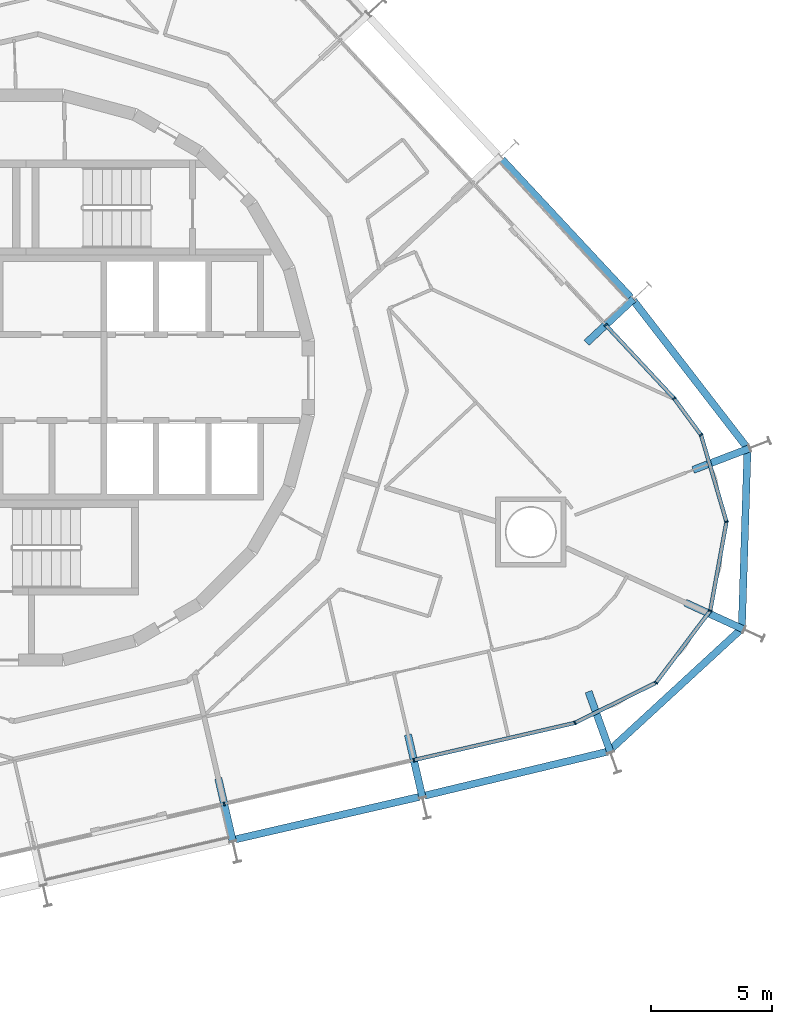
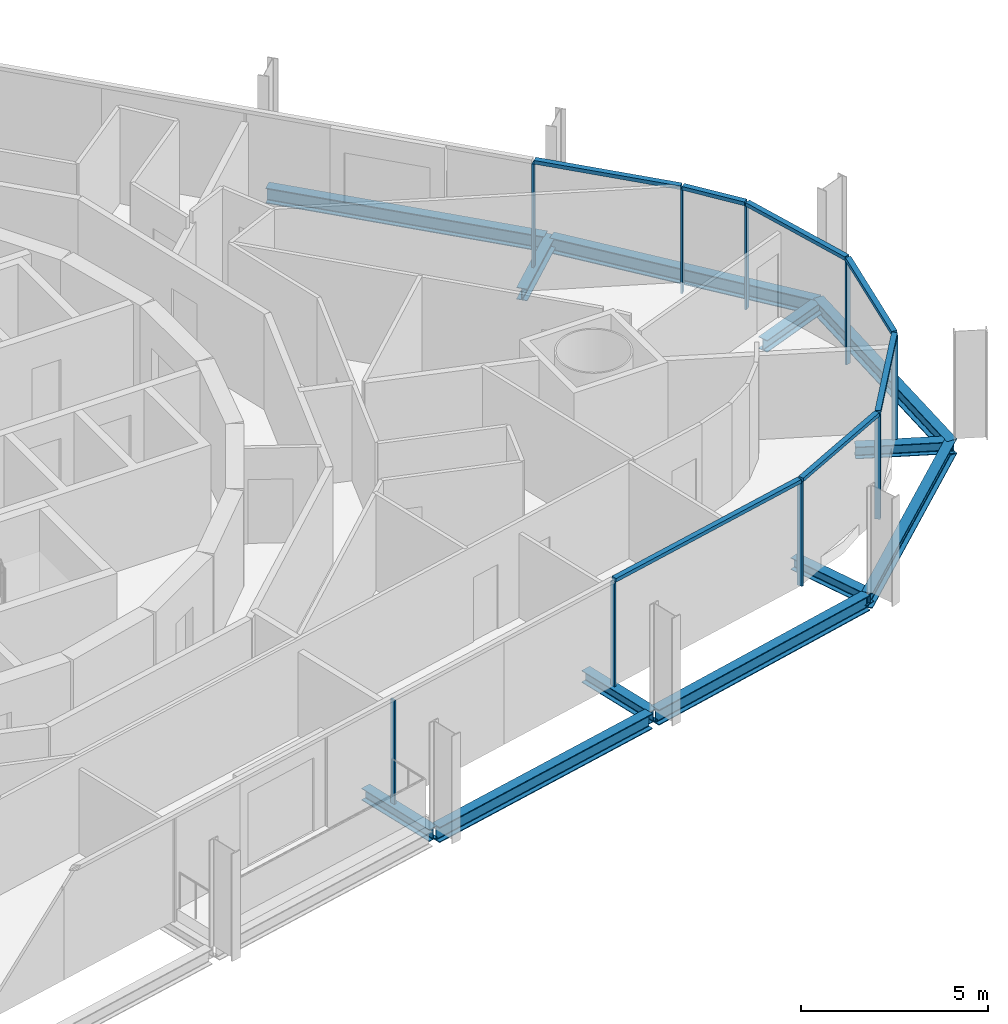
# One storey, part 6 of 18: 16 members, 12 beams, 3 elements without a shape of their own.
"""IFC4 building model written with IfcOpenShell, lengths in metres."""

from ifc_helpers import new_model, si_unit, direction, frame, origin, origin_2d, place, context, subcontext, project, spatial, rectangle, i_section, extrude, material, layer, layer_set, material_profile, profile_set, type_object, element, aggregate, save


model = new_model("IFC4")

# Units and contexts
model_context = context("Model", 3, precision=1e-05, world=origin(), true_north=direction((0.0, 1.0)))
body_context = subcontext(model_context, "Body", "Model", "MODEL_VIEW")
ifc_project = project(units=[si_unit("LENGTHUNIT", "METRE"), si_unit("AREAUNIT", "SQUARE_METRE"), si_unit("VOLUMEUNIT", "CUBIC_METRE"), si_unit("PLANEANGLEUNIT", "RADIAN"), si_unit("MASSUNIT", "GRAM", prefix="KILO")], contexts=[model_context])

# Site, building, storey
site_placement = place(None, origin())
site = spatial("IfcSite", under=ifc_project, at=site_placement, CompositionType="ELEMENT")
building_placement = place(site_placement, origin())
building = spatial("IfcBuilding", under=site, at=building_placement, Name="Spindle Arch Residences", CompositionType="ELEMENT")
storey_placement = place(building_placement, frame((0.0, 0.0, 130.89990234375)))
storey = spatial("IfcBuildingStorey", under=building, at=storey_placement, Name="L32", CompositionType="ELEMENT", Elevation=130.89990234375)

# Curtain wall, members
ifc_material_1 = material(Name="Aluminium bronze unitised frame with tinted glass", Category="aluminium")
ifc_layer_1 = layer(ifc_material_1, 0.159912109375)
ifc_layer_set_1 = layer_set([ifc_layer_1], Name="CW-D corner wall on the fillet arcs")
curtain_wall_type_1 = type_object("IfcCurtainWallType", Name="CW-D corner wall on the fillet arcs", PredefinedType="NOTDEFINED", material=ifc_layer_set_1)
curtain_wall_1_placement = place(storey_placement, origin())
curtain_wall_1 = element("IfcCurtainWall", 1, at=curtain_wall_1_placement, inside=storey, type_object=curtain_wall_type_1, Name="CW-D L32 run 1", PredefinedType="NOTDEFINED")
ifc_material_2 = material(Name="Aluminium bronze anodised mullion", Category="aluminium")
ifc_material_profile_1 = material_profile(ifc_material_2, rectangle(XDim=0.159912109375, YDim=0.06005859375, at=origin_2d()), Name="MU 60x160")
ifc_profile_set_1 = profile_set([ifc_material_profile_1], Name="Aluminium bronze anodised mullion")
member_type_1 = type_object("IfcMemberType", Name="Bronze mullion 60x160", PredefinedType="MULLION", material=ifc_profile_set_1)
member_1_placement = place(storey_placement, frame((16.002685546875, -15.775390625, -0.3798828125), z_axis=(0.0, 0.0, 1.0), x_axis=(-0.224951054344, 0.974370064785, 0.0)))
member_1 = element("IfcMember", 2, at=member_1_placement, type_object=member_type_1, Name="CW-D mullion 00", PredefinedType="MULLION", context=body_context, shape_type="SweptSolid", body=[
    extrude(rectangle(XDim=0.159912109375, YDim=0.06005859375, at=origin_2d()), origin(), (0.0, 0.0, 1.0), 3.3798828125),
])
member_2_placement = place(storey_placement, frame((22.647705078125, -14.2412109375, -0.3798828125), z_axis=(0.0, 0.0, 1.0), x_axis=(-0.443592675931, 0.896228507614, 0.0)))
member_2 = element("IfcMember", 3, at=member_2_placement, type_object=member_type_1, Name="CW-D mullion 01", PredefinedType="MULLION", context=body_context, shape_type="SweptSolid", body=[
    extrude(rectangle(XDim=0.159912109375, YDim=0.06005859375, at=origin_2d()), origin(), (0.0, 0.0, 1.0), 3.3798828125),
])
member_3_placement = place(storey_placement, frame((25.987548828125, -12.588134765625, -0.3798828125), z_axis=(0.0, 0.0, 1.0), x_axis=(-0.798635511056, 0.601815021814, 0.0)))
member_3 = element("IfcMember", 4, at=member_3_placement, type_object=member_type_1, Name="CW-D mullion 02", PredefinedType="MULLION", context=body_context, shape_type="SweptSolid", body=[
    extrude(rectangle(XDim=0.159912109375, YDim=0.06005859375, at=origin_2d()), origin(), (0.0, 0.0, 1.0), 3.3798828125),
])
member_4_placement = place(storey_placement, frame((28.23046875, -9.61181640625, -0.3798828125), z_axis=(0.0, 0.0, 1.0), x_axis=(-0.983780848179, 0.17937458782, 0.0)))
member_4 = element("IfcMember", 5, at=member_4_placement, type_object=member_type_1, Name="CW-D mullion 03", PredefinedType="MULLION", context=body_context, shape_type="SweptSolid", body=[
    extrude(rectangle(XDim=0.159912109375, YDim=0.06005859375, at=origin_2d()), origin(), (0.0, 0.0, 1.0), 3.3798828125),
])
member_5_placement = place(storey_placement, frame((28.89892578125, -5.945556640625, -0.3798828125), z_axis=(0.0, 0.0, 1.0), x_axis=(-0.959641844554, -0.281225052549, 0.0)))
member_5 = element("IfcMember", 6, at=member_5_placement, type_object=member_type_1, Name="CW-D mullion 04", PredefinedType="MULLION", context=body_context, shape_type="SweptSolid", body=[
    extrude(rectangle(XDim=0.159912109375, YDim=0.06005859375, at=origin_2d()), origin(), (0.0, 0.0, 1.0), 3.3798828125),
])
member_6_placement = place(storey_placement, frame((27.850830078125, -2.369140625, -0.3798828125), z_axis=(0.0, 0.0, 1.0), x_axis=(-0.805583724819, -0.592481951039, 0.0)))
member_6 = element("IfcMember", 7, at=member_6_placement, type_object=member_type_1, Name="CW-D mullion 05", PredefinedType="MULLION", context=body_context, shape_type="SweptSolid", body=[
    extrude(rectangle(XDim=0.159912109375, YDim=0.06005859375, at=origin_2d()), origin(), (0.0, 0.0, 1.0), 3.3798828125),
])
member_7_placement = place(storey_placement, frame((26.7392578125, -0.85791015625, -0.3798828125), z_axis=(0.0, 0.0, 1.0), x_axis=(-0.731353701619, -0.681998360062, 0.0)))
member_7 = element("IfcMember", 8, at=member_7_placement, type_object=member_type_1, Name="CW-D mullion 06", PredefinedType="MULLION", context=body_context, shape_type="SweptSolid", body=[
    extrude(rectangle(XDim=0.159912109375, YDim=0.06005859375, at=origin_2d()), origin(), (0.0, 0.0, 1.0), 3.3798828125),
])

# Curtain wall, member
ifc_material_3 = material(Name="Aluminium bronze unitised frame with tinted glass", Category="aluminium")
ifc_layer_2 = layer(ifc_material_3, 0.159912109375)
ifc_layer_set_2 = layer_set([ifc_layer_2], Name="CW-C typical residential unitised wall")
curtain_wall_type_2 = type_object("IfcCurtainWallType", Name="CW-C typical residential unitised wall", PredefinedType="NOTDEFINED", material=ifc_layer_set_2)
curtain_wall_2_placement = place(storey_placement, origin())
curtain_wall_2 = element("IfcCurtainWall", 9, at=curtain_wall_2_placement, inside=storey, type_object=curtain_wall_type_2, Name="CW-C L32 run 2", PredefinedType="NOTDEFINED")
member_8_placement = place(storey_placement, frame((23.91357421875, 2.172607421875, -0.3798828125), z_axis=(0.0, 0.0, 1.0), x_axis=(-0.731353701619, -0.681998360062, 0.0)))
member_8 = element("IfcMember", 10, at=member_8_placement, type_object=member_type_1, Name="CW-C mullion 05", PredefinedType="MULLION", context=body_context, shape_type="SweptSolid", body=[
    extrude(rectangle(XDim=0.159912109375, YDim=0.06005859375, at=origin_2d()), origin(), (0.0, 0.0, 1.0), 3.3798828125),
])
aggregate(curtain_wall_2, [member_8])

curtain_wall_3_placement = place(storey_placement, origin())
curtain_wall_3 = element("IfcCurtainWall", 11, at=curtain_wall_3_placement, inside=storey, type_object=curtain_wall_type_2, Name="CW-C L32 run 6", PredefinedType="NOTDEFINED")
member_9_placement = place(storey_placement, frame((8.17919921875, -17.58154296875, -0.3798828125), z_axis=(0.0, 0.0, 1.0), x_axis=(-0.224951054344, 0.974370064785, 0.0)))
member_9 = element("IfcMember", 12, at=member_9_placement, type_object=member_type_1, Name="CW-C mullion 00", PredefinedType="MULLION", context=body_context, shape_type="SweptSolid", body=[
    extrude(rectangle(XDim=0.159912109375, YDim=0.06005859375, at=origin_2d()), origin(), (0.0, 0.0, 1.0), 3.3798828125),
])
aggregate(curtain_wall_3, [member_9])

# Member
ifc_material_4 = material(Name="Aluminium bronze anodised transom", Category="aluminium")
ifc_material_profile_2 = material_profile(ifc_material_4, rectangle(XDim=0.159912109375, YDim=0.1201171875, at=origin_2d()), Name="TR 120x160")
ifc_profile_set_2 = profile_set([ifc_material_profile_2], Name="Aluminium bronze anodised transom")
member_type_2 = type_object("IfcMemberType", Name="Bronze transom 120x160", PredefinedType="USERDEFINED", material=ifc_profile_set_2)
member_10_placement = place(storey_placement, frame((16.03173828125, -15.7685546875, 3.06005859375), z_axis=(0.974374758263, 0.224930723691, 0.0), x_axis=(-0.224930723691, 0.974374758263, 0.0)))
member_10 = element("IfcMember", 13, at=member_10_placement, type_object=member_type_2, Name="CW-D transom 00", ObjectType="TRANSOM", PredefinedType="USERDEFINED", context=body_context, shape_type="SweptSolid", body=[
    extrude(rectangle(XDim=0.159912109375, YDim=0.1201171875, at=origin_2d()), origin(), (0.0, 0.0, 1.0), 6.760009765625),
])

member_11_placement = place(storey_placement, frame((22.674560546875, -14.22802734375, 3.06005859375), z_axis=(0.896204490037, 0.443641197408, 0.0), x_axis=(-0.443641197408, 0.896204490037, 0.0)))
member_11 = element("IfcMember", 14, at=member_11_placement, type_object=member_type_2, Name="CW-D transom 01", ObjectType="TRANSOM", PredefinedType="USERDEFINED", context=body_context, shape_type="SweptSolid", body=[
    extrude(rectangle(XDim=0.159912109375, YDim=0.1201171875, at=origin_2d()), origin(), (0.0, 0.0, 1.0), 3.666748046875),
])

member_12_placement = place(storey_placement, frame((26.005615234375, -12.564208984375, 3.06005859375), z_axis=(0.601820083797, 0.798631696553, 0.0), x_axis=(-0.798631696553, 0.601820083797, 0.0)))
member_12 = element("IfcMember", 15, at=member_12_placement, type_object=member_type_2, Name="CW-D transom 02", ObjectType="TRANSOM", PredefinedType="USERDEFINED", context=body_context, shape_type="SweptSolid", body=[
    extrude(rectangle(XDim=0.159912109375, YDim=0.1201171875, at=origin_2d()), origin(), (0.0, 0.0, 1.0), 3.666748046875),
])

member_13_placement = place(storey_placement, frame((28.23583984375, -9.582275390625, 3.06005859375), z_axis=(0.179377605594, 0.983780297938, 0.0), x_axis=(-0.983780297938, 0.179377605594, 0.0)))
member_13 = element("IfcMember", 16, at=member_13_placement, type_object=member_type_2, Name="CW-D transom 03", ObjectType="TRANSOM", PredefinedType="USERDEFINED", context=body_context, shape_type="SweptSolid", body=[
    extrude(rectangle(XDim=0.159912109375, YDim=0.1201171875, at=origin_2d()), origin(), (0.0, 0.0, 1.0), 3.666748046875),
])

member_14_placement = place(storey_placement, frame((28.890625, -5.916748046875, 3.06005859375), z_axis=(-0.281239778168, 0.959637529058, 0.0), x_axis=(-0.959637529058, -0.281239778168, 0.0)))
member_14 = element("IfcMember", 17, at=member_14_placement, type_object=member_type_2, Name="CW-D transom 04", ObjectType="TRANSOM", PredefinedType="USERDEFINED", context=body_context, shape_type="SweptSolid", body=[
    extrude(rectangle(XDim=0.159912109375, YDim=0.1201171875, at=origin_2d()), origin(), (0.0, 0.0, 1.0), 3.666748046875),
])

member_15_placement = place(storey_placement, frame((27.833251953125, -2.344970703125, 3.06005859375), z_axis=(-0.592575212526, 0.805515125557, 0.0), x_axis=(-0.805515125557, -0.592575212526, 0.0)))
member_15 = element("IfcMember", 18, at=member_15_placement, type_object=member_type_2, Name="CW-D transom 05", ObjectType="TRANSOM", PredefinedType="USERDEFINED", context=body_context, shape_type="SweptSolid", body=[
    extrude(rectangle(XDim=0.159912109375, YDim=0.1201171875, at=origin_2d()), origin(), (0.0, 0.0, 1.0), 1.816162109375),
])

member_16_placement = place(storey_placement, frame((26.718994140625, -0.8359375, 3.06005859375), z_axis=(-0.681983744213, 0.731367330846, 0.0), x_axis=(-0.731367330846, -0.681983744213, 0.0)))
member_16 = element("IfcMember", 19, at=member_16_placement, type_object=member_type_2, Name="CW-D transom 06", ObjectType="TRANSOM", PredefinedType="USERDEFINED", context=body_context, shape_type="SweptSolid", body=[
    extrude(rectangle(XDim=0.159912109375, YDim=0.1201171875, at=origin_2d()), origin(), (0.0, 0.0, 1.0), 4.08349609375),
])

aggregate(curtain_wall_1, [member_1, member_10, member_2, member_11, member_3, member_12, member_4, member_13, member_5, member_14, member_6, member_15, member_7, member_16])

# Beams
ifc_material_5 = material(Name="Steel S460ML, intumescent coating R 120", Category="steel")
ifc_material_profile_3 = material_profile(ifc_material_5, i_section(OverallWidth=0.300048828125, OverallDepth=0.5, WebThickness=0.014404296875, FlangeThickness=0.028076171875, FilletRadius=0.027099609375, at=origin_2d()), Name="HEB 500")
ifc_profile_set_3 = profile_set([ifc_material_profile_3], Name="Steel S460ML, intumescent coating R 120")
beam_type_1 = type_object("IfcBeamType", Name="Exoskeleton edge beam HEB 500", PredefinedType="BEAM", material=ifc_profile_set_3)
beam_1_placement = place(storey_placement, frame((8.64990234375, -19.043212890625, -0.6298828125), z_axis=(0.974368417755, 0.224958188297, 0.0), x_axis=(-0.224958188297, 0.974368417755, 0.0)))
element("IfcBeam", 20, at=beam_1_placement, inside=storey, type_object=beam_type_1, Name="Exoskeleton edge beam 1", PredefinedType="BEAM", context=body_context, shape_type="SweptSolid", body=[
    extrude(i_section(OverallWidth=0.300048828125, OverallDepth=0.5, WebThickness=0.014404296875, FlangeThickness=0.028076171875, FilletRadius=0.027099609375, at=origin_2d()), origin(), (0.0, 0.0, 1.0), 7.76953125),
])
beam_2_placement = place(storey_placement, frame((16.44482421875, -17.243408203125, -0.6298828125), z_axis=(0.972297635128, 0.233746248579, 0.0), x_axis=(-0.233746248579, 0.972297635128, 0.0)))
element("IfcBeam", 21, at=beam_2_placement, inside=storey, type_object=beam_type_1, Name="Exoskeleton edge beam 2", PredefinedType="BEAM", context=body_context, shape_type="SweptSolid", body=[
    extrude(i_section(OverallWidth=0.300048828125, OverallDepth=0.5, WebThickness=0.014404296875, FlangeThickness=0.028076171875, FilletRadius=0.027099609375, at=origin_2d()), origin(), (0.0, 0.0, 1.0), 7.7666015625),
])
for number, where, z_axis, x_axis, name in (
    (22, (24.025146484375, -15.419189453125, -0.6298828125), (0.73568442847, 0.677324458223, 0.0), (-0.677324458223, 0.73568442847, 0.0), "Exoskeleton edge beam 3"),
    (23, (29.5283203125, -10.42578125, -0.6298828125), (0.031715707037, 0.999496930424, 0.0), (-0.999496930424, 0.031715707037, 0.0), "Exoskeleton edge beam 4"),
):
    element("IfcBeam", number, at=place(storey_placement, frame(where, z_axis=z_axis, x_axis=x_axis)), inside=storey, type_object=beam_type_1, Name=name, PredefinedType="BEAM", context=body_context, shape_type="SweptSolid", body=[
        extrude(i_section(OverallWidth=0.300048828125, OverallDepth=0.5, WebThickness=0.014404296875, FlangeThickness=0.028076171875, FilletRadius=0.027099609375, at=origin_2d()), origin(), (0.0, 0.0, 1.0), 7.559326171875),
    ])
beam_3_placement = place(storey_placement, frame((29.766845703125, -2.91259765625, -0.6298828125), z_axis=(-0.611305970043, 0.791394346069, 0.0), x_axis=(-0.791394346069, -0.611305970043, 0.0)))
element("IfcBeam", 24, at=beam_3_placement, inside=storey, type_object=beam_type_1, Name="Exoskeleton edge beam 5", PredefinedType="BEAM", context=body_context, shape_type="SweptSolid", body=[
    extrude(i_section(OverallWidth=0.300048828125, OverallDepth=0.5, WebThickness=0.014404296875, FlangeThickness=0.028076171875, FilletRadius=0.027099609375, at=origin_2d()), origin(), (0.0, 0.0, 1.0), 7.708251953125),
])
beam_4_placement = place(storey_placement, frame((24.94384765625, 3.31103515625, -0.6298828125), z_axis=(-0.682008048331, 0.731344667042, 0.0), x_axis=(-0.731344667042, -0.682008048331, 0.0)))
element("IfcBeam", 25, at=beam_4_placement, inside=storey, type_object=beam_type_1, Name="Exoskeleton edge beam 6", PredefinedType="BEAM", context=body_context, shape_type="SweptSolid", body=[
    extrude(i_section(OverallWidth=0.300048828125, OverallDepth=0.5, WebThickness=0.014404296875, FlangeThickness=0.028076171875, FilletRadius=0.027099609375, at=origin_2d()), origin(), (0.0, 0.0, 1.0), 7.76904296875),
])
ifc_material_6 = material(Name="Steel S460ML, intumescent coating R 120", Category="steel")
ifc_material_profile_4 = material_profile(ifc_material_6, i_section(OverallWidth=0.300048828125, OverallDepth=0.389892578125, WebThickness=0.010986328125, FlangeThickness=0.01904296875, FilletRadius=0.027099609375, at=origin_2d()), Name="HEA 400")
ifc_profile_set_4 = profile_set([ifc_material_profile_4], Name="Steel S460ML, intumescent coating R 120")
beam_type_2 = type_object("IfcBeamType", Name="Floor outrigger HEA 400", PredefinedType="BEAM", material=ifc_profile_set_4)
for number, where, z_axis, x_axis, name in (
    (26, (8.532470703125, -19.111328125, -0.574951171875), (-0.224980619228, 0.974363238721, 0.0), (-0.974363238721, -0.224980619228, 0.0), "Floor outrigger 1"),
    (27, (16.355712890625, -17.30517578125, -0.574951171875), (-0.224893150114, 0.974383431218, 0.0), (-0.974383431218, -0.224893150114, 0.0), "Floor outrigger 2"),
):
    element("IfcBeam", number, at=place(storey_placement, frame(where, z_axis=z_axis, x_axis=x_axis)), inside=storey, type_object=beam_type_2, Name=name, PredefinedType="BEAM", context=body_context, shape_type="SweptSolid", body=[
        extrude(i_section(OverallWidth=0.300048828125, OverallDepth=0.389892578125, WebThickness=0.010986328125, FlangeThickness=0.01904296875, FilletRadius=0.027099609375, at=origin_2d()), origin(), (0.0, 0.0, 1.0), 2.64990234375),
    ])
beam_5_placement = place(storey_placement, frame((24.1083984375, -15.444580078125, -0.574951171875), z_axis=(-0.339759917159, 0.940512200183, 0.0), x_axis=(-0.940512200183, -0.339759917159, 0.0)))
element("IfcBeam", 28, at=beam_5_placement, inside=storey, type_object=beam_type_2, Name="Floor outrigger 3", PredefinedType="BEAM", context=body_context, shape_type="SweptSolid", body=[
    extrude(i_section(OverallWidth=0.300048828125, OverallDepth=0.389892578125, WebThickness=0.010986328125, FlangeThickness=0.01904296875, FilletRadius=0.027099609375, at=origin_2d()), origin(), (0.0, 0.0, 1.0), 2.650146484375),
])
beam_6_placement = place(storey_placement, frame((29.604736328125, -10.384033203125, -0.574951171875), z_axis=(-0.909319126007, 0.416099419703, 0.0), x_axis=(-0.416099419703, -0.909319126007, 0.0)))
element("IfcBeam", 29, at=beam_6_placement, inside=storey, type_object=beam_type_2, Name="Floor outrigger 4", PredefinedType="BEAM", context=body_context, shape_type="SweptSolid", body=[
    extrude(i_section(OverallWidth=0.300048828125, OverallDepth=0.389892578125, WebThickness=0.010986328125, FlangeThickness=0.01904296875, FilletRadius=0.027099609375, at=origin_2d()), origin(), (0.0, 0.0, 1.0), 2.649658203125),
])
beam_7_placement = place(storey_placement, frame((29.841796875, -2.9169921875, -0.574951171875), z_axis=(-0.933858846877, -0.35764179581, 0.0), x_axis=(0.35764179581, -0.933858846877, 0.0)))
element("IfcBeam", 30, at=beam_7_placement, inside=storey, type_object=beam_type_2, Name="Floor outrigger 5", PredefinedType="BEAM", context=body_context, shape_type="SweptSolid", body=[
    extrude(i_section(OverallWidth=0.300048828125, OverallDepth=0.389892578125, WebThickness=0.010986328125, FlangeThickness=0.01904296875, FilletRadius=0.027099609375, at=origin_2d()), origin(), (0.0, 0.0, 1.0), 2.484130859375),
])
beam_8_placement = place(storey_placement, frame((25.061767578125, 3.2431640625, -0.574951171875), z_axis=(-0.731321752584, -0.682032619599, 0.0), x_axis=(0.682032619599, -0.731321752584, 0.0)))
element("IfcBeam", 31, at=beam_8_placement, inside=storey, type_object=beam_type_2, Name="Floor outrigger 6", PredefinedType="BEAM", context=body_context, shape_type="SweptSolid", body=[
    extrude(i_section(OverallWidth=0.300048828125, OverallDepth=0.389892578125, WebThickness=0.010986328125, FlangeThickness=0.01904296875, FilletRadius=0.027099609375, at=origin_2d()), origin(), (0.0, 0.0, 1.0), 2.64990234375),
])

save(model, "model.ifc")
